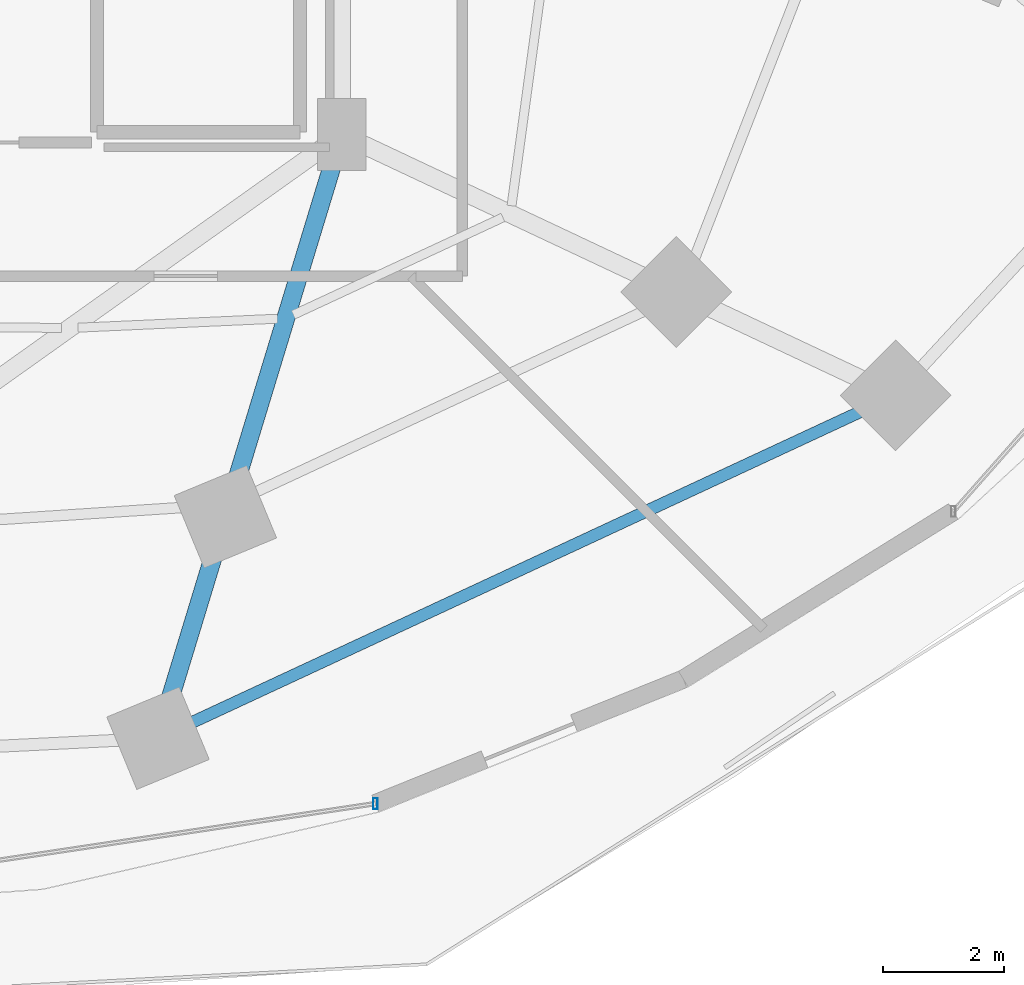
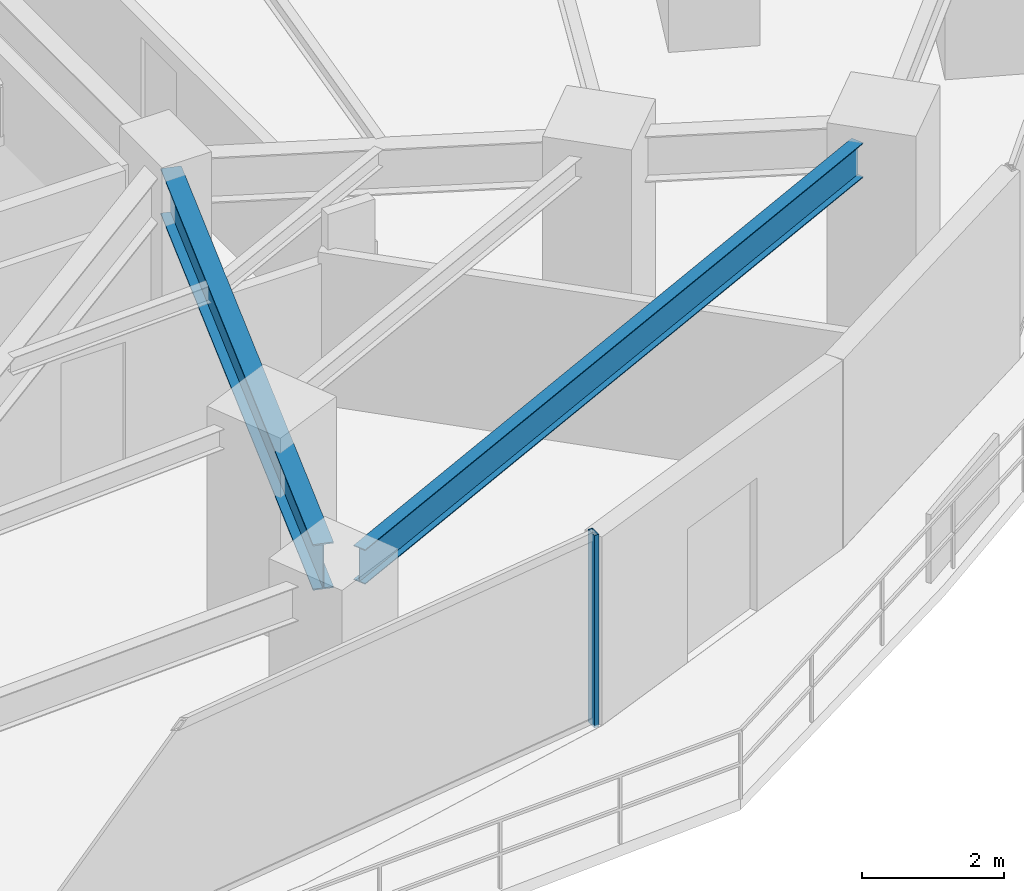
# One storey, part 12 of 34: 2 beams, 1 member, 1 element without a shape of its own.
"""IFC4 building model written with IfcOpenShell, lengths in metres."""

from ifc_helpers import new_model, si_unit, direction, frame, origin, origin_2d, place, context, subcontext, project, spatial, hollow_rectangle, i_section, extrude, material, material_profile, profile_set, type_object, element, aggregate, save


model = new_model("IFC4")

# Units and contexts
model_context = context("Model", 3, precision=1e-05, world=origin(), true_north=direction((0.0, 1.0)))
body_context = subcontext(model_context, "Body", "Model", "MODEL_VIEW")
ifc_project = project(units=[si_unit("LENGTHUNIT", "METRE"), si_unit("AREAUNIT", "SQUARE_METRE"), si_unit("VOLUMEUNIT", "CUBIC_METRE"), si_unit("PLANEANGLEUNIT", "RADIAN"), si_unit("MASSUNIT", "GRAM", prefix="KILO")], contexts=[model_context])

# Site, building, storey
site_placement = place(None, origin())
site = spatial("IfcSite", under=ifc_project, at=site_placement, CompositionType="ELEMENT")
building_placement = place(site_placement, origin())
building = spatial("IfcBuilding", under=site, at=building_placement, Name="Vorneva Point Tower", CompositionType="ELEMENT")
storey_placement = place(building_placement, frame((0.0, 0.0, 31.0)))
storey = spatial("IfcBuildingStorey", under=building, at=storey_placement, Name="L07", CompositionType="ELEMENT", Elevation=31.0)

# Beams
ifc_material_1 = material(Name="Steel S355", Category="steel")
ifc_material_profile_1 = material_profile(ifc_material_1, i_section(OverallWidth=0.300048828125, OverallDepth=0.7880859375, WebThickness=0.014404296875, FlangeThickness=0.02197265625, at=origin_2d()), Name="80Sh1")
ifc_profile_set_1 = profile_set([ifc_material_profile_1], Name="Steel S355")
beam_type_1 = type_object("IfcBeamType", Name="BM-GRD-80Sh1", PredefinedType="USERDEFINED", material=ifc_profile_set_1)
beam_1_placement = place(storey_placement, frame((45.888916015625, 7.045654296875, 2.845947265625), z_axis=(0.29104183924, 0.956710325967, 0.0), x_axis=(-0.956710325967, 0.29104183924, 0.0)))
element("IfcBeam", 1, at=beam_1_placement, inside=storey, type_object=beam_type_1, Name="L07 Radial Primary Girder 14", ObjectType="GIRDER", PredefinedType="USERDEFINED", context=body_context, shape_type="SweptSolid", body=[
    extrude(i_section(OverallWidth=0.300048828125, OverallDepth=0.7880859375, WebThickness=0.014404296875, FlangeThickness=0.02197265625, at=origin_2d()), origin(), (0.0, 0.0, 1.0), 9.489990234375),
])
ifc_material_profile_2 = material_profile(ifc_material_1, i_section(OverallWidth=0.198974609375, OverallDepth=0.595947265625, WebThickness=0.010009765625, FlangeThickness=0.014892578125, at=origin_2d()), Name="60B1")
ifc_profile_set_2 = profile_set([ifc_material_profile_2], Name="Steel S355")
beam_type_2 = type_object("IfcBeamType", Name="BM-SPN-60B1", PredefinedType="SPANDREL", material=ifc_profile_set_2)
beam_2_placement = place(storey_placement, frame((46.27880859375, 6.702880859375, 2.94189453125), z_axis=(0.906776698196, 0.421611218551, 0.0), x_axis=(-0.421611218551, 0.906776698196, 0.0)))
element("IfcBeam", 2, at=beam_2_placement, inside=storey, type_object=beam_type_2, Name="L07 Perimeter Spandrel Ring Beam 14", PredefinedType="SPANDREL", context=body_context, shape_type="SweptSolid", body=[
    extrude(i_section(OverallWidth=0.198974609375, OverallDepth=0.595947265625, WebThickness=0.010009765625, FlangeThickness=0.014892578125, at=origin_2d()), origin(), (0.0, 0.0, 1.0), 12.223388671875),
])

# Curtain wall, member
ifc_material_2 = material(Name="Pale anodised aluminium", Category="aluminium")
curtain_wall_type = type_object("IfcCurtainWallType", Name="CW-HTL-SYS", PredefinedType="NOTDEFINED", material=ifc_material_2)
curtain_wall_placement = place(storey_placement, origin())
curtain_wall = element("IfcCurtainWall", 3, at=curtain_wall_placement, inside=storey, type_object=curtain_wall_type, Name="L07 Unitised Curtain Wall CW-L07-R04", PredefinedType="NOTDEFINED")
ifc_material_profile_3 = material_profile(ifc_material_2, hollow_rectangle(XDim=0.074951171875, YDim=0.179931640625, WallThickness=0.00390625, at=origin_2d()), Name="AL-MUL 180x75x4")
ifc_profile_set_3 = profile_set([ifc_material_profile_3], Name="Pale anodised aluminium")
member_type = type_object("IfcMemberType", Name="CW-MUL-180", PredefinedType="MULLION", material=ifc_profile_set_3)
member_placement = place(storey_placement, frame((49.308349609375, 5.351318359375, -0.0400390625), z_axis=(0.0, 0.0, 1.0), x_axis=(1.0, 0.0, 0.0)))
member = element("IfcMember", 4, at=member_placement, type_object=member_type, Name="CW-L07-R04 Mullion 04", PredefinedType="MULLION", context=body_context, shape_type="SweptSolid", body=[
    extrude(hollow_rectangle(XDim=0.074951171875, YDim=0.179931640625, WallThickness=0.00390625, at=origin_2d()), origin(), (0.0, 0.0, 1.0), 3.31005859375),
])
aggregate(curtain_wall, [member])

save(model, "model.ifc")
